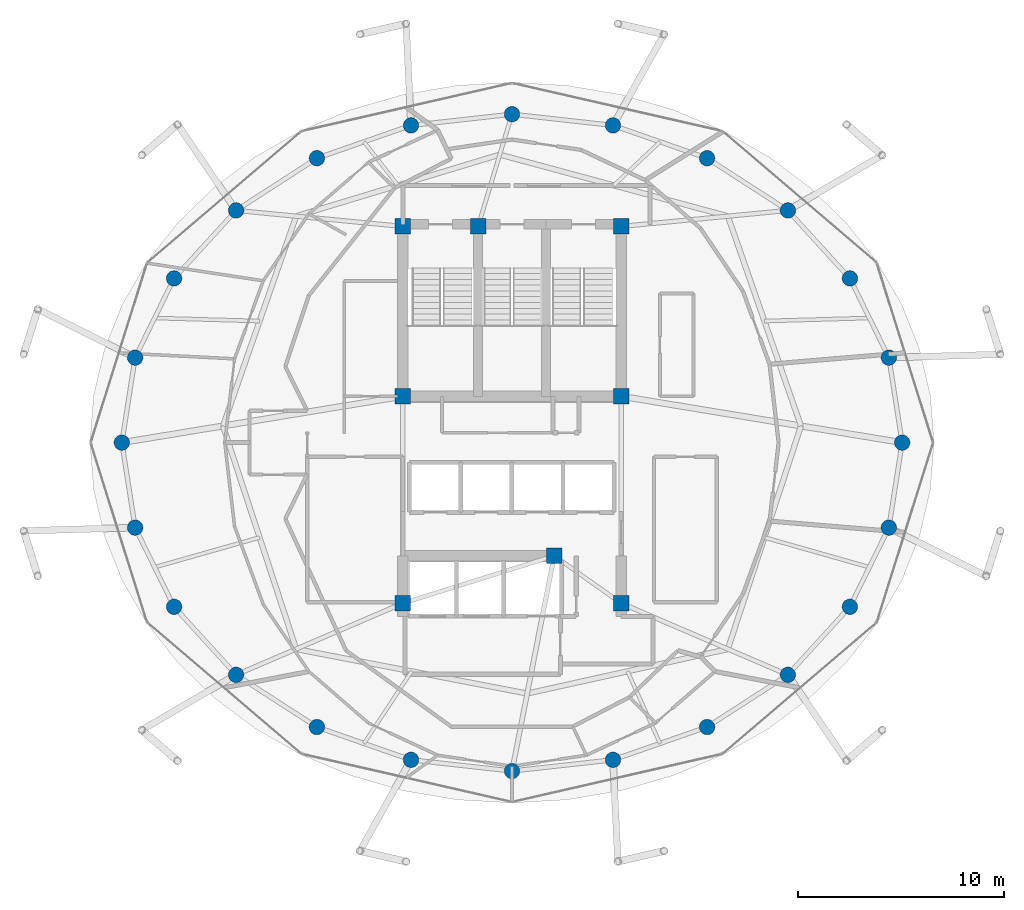
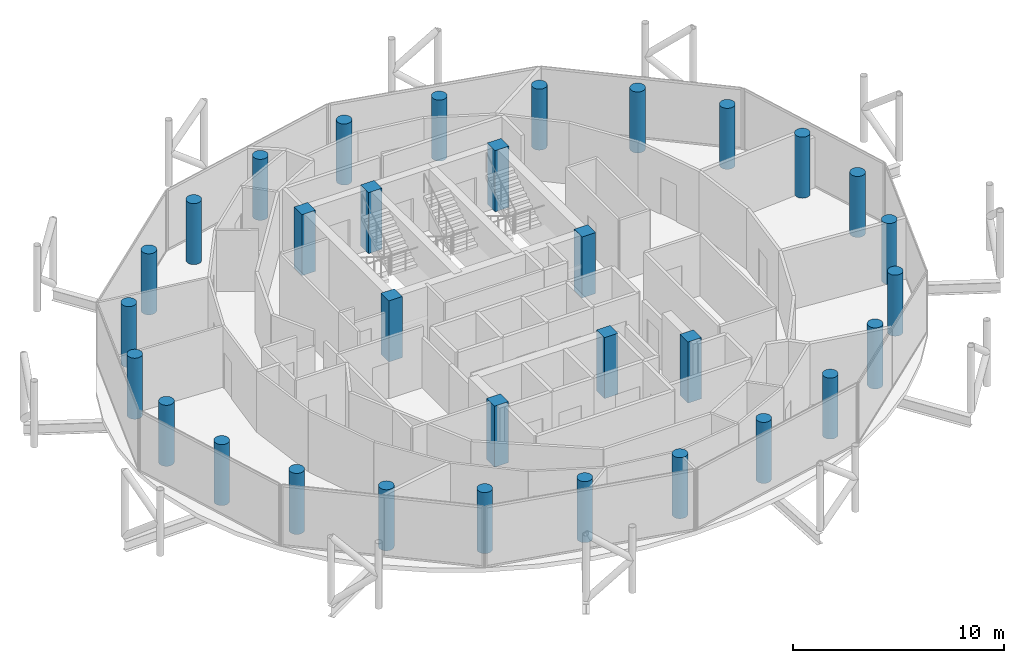
# One storey, part 1 of 24: 32 columns.
"""IFC4 building model written with IfcOpenShell, lengths in metres."""

from ifc_helpers import new_model, si_unit, direction, frame, origin, origin_2d, place, context, subcontext, project, spatial, rectangle, circle, extrude, material, material_profile, profile_set, type_object, element, save


model = new_model("IFC4")

# Units and contexts
model_context = context("Model", 3, precision=1e-05, world=origin(), true_north=direction((0.0, 1.0)))
body_context = subcontext(model_context, "Body", "Model", "MODEL_VIEW")
ifc_project = project(units=[si_unit("LENGTHUNIT", "METRE"), si_unit("AREAUNIT", "SQUARE_METRE"), si_unit("VOLUMEUNIT", "CUBIC_METRE"), si_unit("PLANEANGLEUNIT", "RADIAN"), si_unit("MASSUNIT", "GRAM", prefix="KILO")], contexts=[model_context])

# Site, building, storey
site_placement = place(None, origin())
site = spatial("IfcSite", under=ifc_project, at=site_placement, CompositionType="ELEMENT")
building_placement = place(site_placement, origin())
building = spatial("IfcBuilding", under=site, at=building_placement, Name="Nuhasar Tower", CompositionType="ELEMENT")
storey_placement = place(building_placement, frame((0.0, 0.0, 278.39990234375)))
storey = spatial("IfcBuildingStorey", under=building, at=storey_placement, Name="L69", CompositionType="ELEMENT", Elevation=278.39990234375)

# Columns
ifc_material = material(Name="Concrete C50/60", Category="concrete")
ifc_material_profile_1 = material_profile(ifc_material, circle(Radius=0.375, at=origin_2d()), Name="CFT750")
ifc_profile_set_1 = profile_set([ifc_material_profile_1], Name="Concrete C50/60")
column_type_1 = type_object("IfcColumnType", Name="COL-CFT-750", PredefinedType="COLUMN", material=ifc_profile_set_1)
for number, where, z_axis, x_axis, name in (
    (1, (57.949951171875, 26.800048828125, 0.0), (0.0, 0.0, 1.0), (1.0, 0.0, 0.0), "L69 Perimeter Composite Column TC-01"),
    (2, (57.303955078125, 30.927978515625, 0.0), (0.0, 0.0, 1.0), (1.0, 0.0, 0.0), "L69 Perimeter Composite Column TC-02"),
    (3, (55.410888671875, 34.77490234375, 0.0), (0.0, 0.0, 1.0), (1.0, 0.0, 0.0), "L69 Perimeter Composite Column TC-03"),
    (4, (52.39990234375, 38.077880859375, 0.0), (0.0, 0.0, 1.0), (1.0, 0.0, 0.0), "L69 Perimeter Composite Column TC-04"),
    (5, (48.47509765625, 40.613037109375, 0.0), (0.0, 0.0, 1.0), (1.0, 0.0, 0.0), "L69 Perimeter Composite Column TC-05"),
    (6, (43.905029296875, 42.20703125, 0.0), (0.0, 0.0, 1.0), (1.0, 0.0, 0.0), "L69 Perimeter Composite Column TC-06"),
    (7, (39.0, 42.75, 0.0), (0.0, 0.0, 1.0), (1.0, 0.0, 0.0), "L69 Perimeter Composite Column TC-07"),
    (8, (34.094970703125, 42.20703125, 0.0), (0.0, 0.0, 1.0), (1.0, 0.0, 0.0), "L69 Perimeter Composite Column TC-08"),
    (9, (29.52490234375, 40.613037109375, 0.0), (0.0, 0.0, 1.0), (1.0, 0.0, 0.0), "L69 Perimeter Composite Column TC-09"),
    (10, (25.60009765625, 38.077880859375, 0.0), (0.0, 0.0, 1.0), (1.0, 0.0, 0.0), "L69 Perimeter Composite Column TC-10"),
    (11, (22.589111328125, 34.77490234375, 0.0), (0.0, 0.0, 1.0), (1.0, 0.0, 0.0), "L69 Perimeter Composite Column TC-11"),
    (12, (20.696044921875, 30.927978515625, 0.0), (0.0, 0.0, 1.0), (1.0, 0.0, 0.0), "L69 Perimeter Composite Column TC-12"),
    (13, (20.050048828125, 26.800048828125, 0.0), (0.0, 0.0, 1.0), (1.0, 0.0, 0.0), "L69 Perimeter Composite Column TC-13"),
    (14, (20.696044921875, 22.672119140625, 0.0), (0.0, 0.0, 1.0), (1.0, 0.0, 0.0), "L69 Perimeter Composite Column TC-14"),
    (15, (22.589111328125, 18.824951171875, 0.0), (0.0, 0.0, 1.0), (1.0, 0.0, 0.0), "L69 Perimeter Composite Column TC-15"),
    (16, (25.60009765625, 15.52197265625, 0.0), (0.0, 0.0, 1.0), (1.0, 0.0, 0.0), "L69 Perimeter Composite Column TC-16"),
    (17, (29.52490234375, 12.987060546875, 0.0), (0.0, 0.0, 1.0), (1.0, 0.0, 0.0), "L69 Perimeter Composite Column TC-17"),
    (18, (34.094970703125, 11.39306640625, 0.0), (0.0, 0.0, 1.0), (1.0, 0.0, 0.0), "L69 Perimeter Composite Column TC-18"),
    (19, (39.0, 10.85009765625, 0.0), (0.0, 0.0, 1.0), (1.0, 0.0, 0.0), "L69 Perimeter Composite Column TC-19"),
    (20, (43.905029296875, 11.39306640625, 0.0), (0.0, 0.0, 1.0), (1.0, 0.0, 0.0), "L69 Perimeter Composite Column TC-20"),
    (21, (48.47509765625, 12.987060546875, 0.0), (0.0, 0.0, 1.0), (1.0, 0.0, 0.0), "L69 Perimeter Composite Column TC-21"),
    (22, (52.39990234375, 15.52197265625, 0.0), (0.0, 0.0, 1.0), (1.0, 0.0, 0.0), "L69 Perimeter Composite Column TC-22"),
    (23, (55.410888671875, 18.824951171875, 0.0), (0.0, 0.0, 1.0), (1.0, 0.0, 0.0), "L69 Perimeter Composite Column TC-23"),
    (24, (57.303955078125, 22.672119140625, 0.0), (0.0, 0.0, 1.0), (1.0, 0.0, 0.0), "L69 Perimeter Composite Column TC-24"),
):
    element("IfcColumn", number, at=place(storey_placement, frame(where, z_axis=z_axis, x_axis=x_axis)), inside=storey, type_object=column_type_1, Name=name, PredefinedType="COLUMN", context=body_context, shape_type="SweptSolid", body=[
        extrude(circle(Radius=0.375, at=origin_2d()), origin(), (0.0, 0.0, 1.0), 3.5400390625),
    ])
ifc_material_profile_2 = material_profile(ifc_material, rectangle(XDim=0.75, YDim=0.75, at=origin_2d()), Name="RC750X750")
ifc_profile_set_2 = profile_set([ifc_material_profile_2], Name="Concrete C50/60")
column_type_2 = type_object("IfcColumnType", Name="PIL-RC-750", PredefinedType="PILASTER", material=ifc_profile_set_2)
for number, where, z_axis, x_axis, name in (
    (25, (33.699951171875, 19.0, 0.0), (0.0, 0.0, 1.0), (1.0, 0.0, 0.0), "L69 Core Boundary Pilaster CC-01"),
    (26, (41.050048828125, 21.300048828125, 0.0), (0.0, 0.0, 1.0), (1.0, 0.0, 0.0), "L69 Core Boundary Pilaster CC-02"),
    (27, (44.300048828125, 19.0, 0.0), (0.0, 0.0, 1.0), (1.0, 0.0, 0.0), "L69 Core Boundary Pilaster CC-03"),
    (28, (44.300048828125, 29.050048828125, 0.0), (0.0, 0.0, 1.0), (1.0, 0.0, 0.0), "L69 Core Boundary Pilaster CC-04"),
    (29, (44.300048828125, 37.300048828125, 0.0), (0.0, 0.0, 1.0), (1.0, 0.0, 0.0), "L69 Core Boundary Pilaster CC-05"),
    (30, (37.35009765625, 37.300048828125, 0.0), (0.0, 0.0, 1.0), (1.0, 0.0, 0.0), "L69 Core Boundary Pilaster CC-06"),
    (31, (33.699951171875, 37.300048828125, 0.0), (0.0, 0.0, 1.0), (1.0, 0.0, 0.0), "L69 Core Boundary Pilaster CC-07"),
    (32, (33.699951171875, 29.050048828125, 0.0), (0.0, 0.0, 1.0), (1.0, 0.0, 0.0), "L69 Core Boundary Pilaster CC-08"),
):
    element("IfcColumn", number, at=place(storey_placement, frame(where, z_axis=z_axis, x_axis=x_axis)), inside=storey, type_object=column_type_2, Name=name, PredefinedType="PILASTER", context=body_context, shape_type="SweptSolid", body=[
        extrude(rectangle(XDim=0.75, YDim=0.75, at=origin_2d()), origin(), (0.0, 0.0, 1.0), 3.5400390625),
    ])

save(model, "model.ifc")
